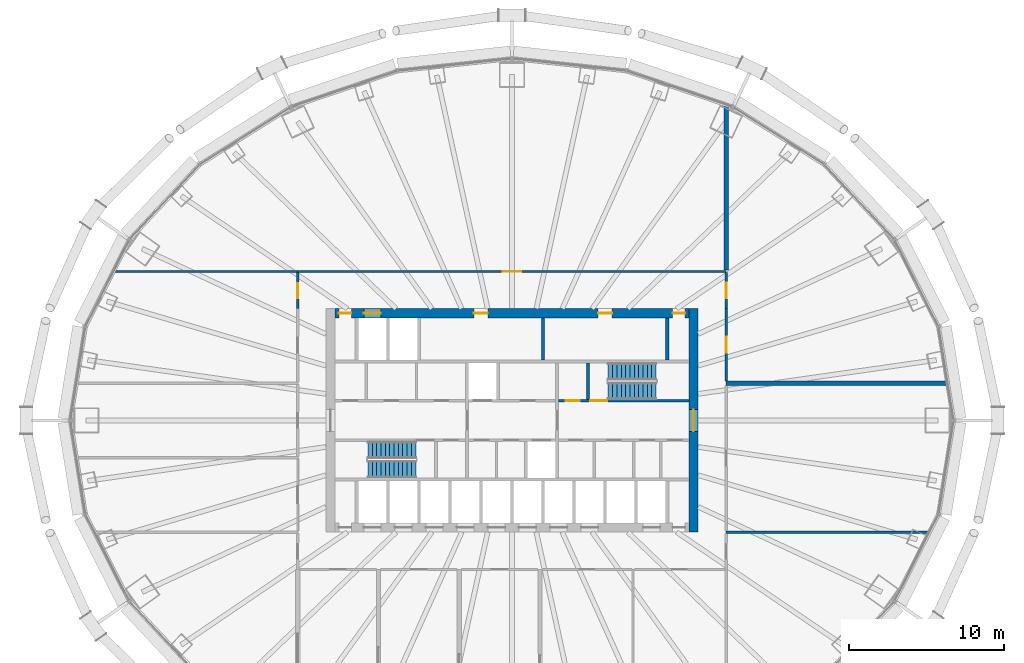
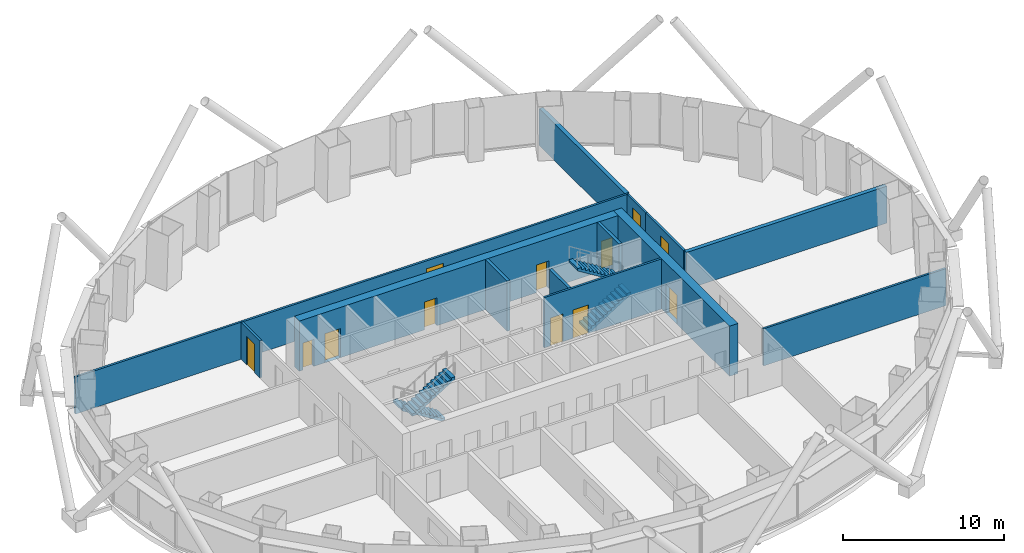
# One storey, part 9 of 16: 14 walls, 12 doors, 4 stair flights, 12 openings, 2 elements without a shape of their own.
"""IFC4 building model written with IfcOpenShell, lengths in metres."""

from ifc_helpers import new_model, si_unit, direction, frame, frame_2d, origin, place, context, subcontext, project, spatial, polyline, rectangle, outline, extrude, material, layer, layer_set, type_object, element, fill, aggregate, save


model = new_model("IFC4")

# Units and contexts
model_context = context("Model", 3, precision=1e-05, world=origin(), true_north=direction((0.0, 1.0)))
body_context = subcontext(model_context, "Body", "Model", "MODEL_VIEW")
ifc_project = project(units=[si_unit("LENGTHUNIT", "METRE"), si_unit("AREAUNIT", "SQUARE_METRE"), si_unit("VOLUMEUNIT", "CUBIC_METRE"), si_unit("PLANEANGLEUNIT", "RADIAN"), si_unit("MASSUNIT", "GRAM", prefix="KILO")], contexts=[model_context])

# Site, building, storey
site_placement = place(None, origin())
site = spatial("IfcSite", under=ifc_project, at=site_placement, CompositionType="ELEMENT")
building_placement = place(site_placement, origin())
building = spatial("IfcBuilding", under=site, at=building_placement, Name="Siaravel Broadcast Tower", CompositionType="ELEMENT")
storey_placement = place(building_placement, frame((0.0, 0.0, 28.699951171875)))
storey = spatial("IfcBuildingStorey", under=building, at=storey_placement, Name="L05", CompositionType="ELEMENT", Elevation=28.699951171875)

# Walls
ifc_material_1 = material(Name="Double-leaf acoustic partition", Category="gypsum")
ifc_layer_1 = layer(ifc_material_1, 0.280029296875)
ifc_layer_set_1 = layer_set([ifc_layer_1], Name="Double-leaf acoustic partition")
wall_type_1 = type_object("IfcWallType", Name="Acoustic double-leaf wall 280", PredefinedType="PARTITIONING", material=ifc_layer_set_1)
wall_1_placement = place(storey_placement, frame((28.1142578125, 2.39990234375, 0.0), z_axis=(0.0, 0.0, 1.0), x_axis=(-1.0, 0.0, 0.0)))
element("IfcWall", 1, at=wall_1_placement, inside=storey, type_object=wall_type_1, Name="L05 partition 3", PredefinedType="PARTITIONING", context=body_context, shape_type="SweptSolid", body=[
    extrude(rectangle(XDim=14.314208984375, YDim=0.280029296875, at=frame_2d((7.1572265625, 0.0))), origin(), (0.0, 0.0, 1.0), 2.800048828125),
])
wall_2_placement = place(storey_placement, frame((13.800048828125, 9.677001953125, 0.0), z_axis=(0.0, 0.0, 1.0), x_axis=(0.0, 1.0, 0.0)))
element("IfcWall", 2, at=wall_2_placement, inside=storey, type_object=wall_type_1, Name="L05 partition 12", PredefinedType="PARTITIONING", context=body_context, shape_type="SweptSolid", body=[
    extrude(rectangle(XDim=10.610595703125, YDim=0.280029296875, at=frame_2d((5.30517578125, 0.0))), origin(), (0.0, 0.0, 1.0), 2.800048828125),
])
ifc_material_2 = material(Name="Concrete blockwork", Category="masonry")
ifc_layer_2 = layer(ifc_material_2, 0.199951171875)
ifc_layer_set_2 = layer_set([ifc_layer_2], Name="Concrete blockwork")
wall_type_2 = type_object("IfcWallType", Name="Core partition 200", PredefinedType="PARTITIONING", material=ifc_layer_set_2)
wall_3_placement = place(storey_placement, frame((2.0, 3.89990234375, 0.0), z_axis=(0.0, 0.0, 1.0), x_axis=(0.0, 1.0, 0.0)))
element("IfcWall", 3, at=wall_3_placement, inside=storey, type_object=wall_type_2, Name="L05 core partition PFN2", PredefinedType="PARTITIONING", context=body_context, shape_type="SweptSolid", body=[
    extrude(rectangle(XDim=2.7001953125, YDim=0.199951171875, at=frame_2d((1.35009765625, 0.0))), origin(), (0.0, 0.0, 1.0), 3.800048828125),
])

# Wall, opening, door
ifc_material_3 = material(Name="Concrete C60/75", Category="concrete")
ifc_layer_3 = layer(ifc_material_3, 0.60009765625)
ifc_layer_set_3 = layer_set([ifc_layer_3], Name="Concrete C60/75")
wall_type_3 = type_object("IfcWallType", Name="Core wall 600", PredefinedType="SHEAR", material=ifc_layer_set_3)
wall_4_placement = place(storey_placement, frame((11.699951171875, -7.199951171875, 0.0), z_axis=(0.0, 0.0, 1.0), x_axis=(0.0, 1.0, 0.0)))
wall_4 = element("IfcWall", 4, at=wall_4_placement, inside=storey, type_object=wall_type_3, Name="L05 core wall OE", PredefinedType="SHEAR", context=body_context, shape_type="SweptSolid", body=[
    extrude(rectangle(XDim=14.39990234375, YDim=0.60009765625, at=frame_2d((7.199951171875, 0.0))), origin(), (0.0, 0.0, 1.0), 3.800048828125),
])
opening_1_placement = place(wall_4_placement, frame((6.5, 0.0, 0.0)))
opening_1 = element("IfcOpeningElement", 5, at=opening_1_placement, cuts=wall_4, Name="Opening L05-DX-E", PredefinedType="OPENING", context=body_context, shape_type="SweptSolid", body=[
    extrude(rectangle(XDim=1.39990234375, YDim=2.199951171875, at=frame_2d((0.699951171875, 1.10009765625))), frame((0.0, 0.31005859375, 0.0), z_axis=(0.0, -1.0, 0.0), x_axis=(1.0, 0.0, 0.0)), (0.0, 0.0, 1.0), 0.6201171875),
])
ifc_material_4 = material(Name="Steel", Category="steel")
door_type_1 = type_object("IfcDoorType", Name="Core exit door 1400", OperationType="DOUBLE_DOOR_SINGLE_SWING", PredefinedType="DOOR", material=ifc_material_4)
door_1_placement = place(opening_1_placement, origin())
door_1 = element("IfcDoor", 6, at=door_1_placement, inside=storey, type_object=door_type_1, Name="L05 door DX-E", OperationType="DOUBLE_DOOR_SINGLE_SWING", OverallHeight=2.199951171875, OverallWidth=1.39990234375, PredefinedType="DOOR", context=body_context, shape_type="SweptSolid", body=[
    extrude(rectangle(XDim=1.39990234375, YDim=2.199951171875, at=frame_2d((0.699951171875, 1.10009765625))), frame((0.0, 0.02490234375, 0.0), z_axis=(0.0, -1.0, 0.0), x_axis=(1.0, 0.0, 0.0)), (0.0, 0.0, 1.0), 0.050048828125),
])
fill(opening_1, door_1)

# Wall, openings, doors
wall_5_placement = place(storey_placement, frame((-11.39990234375, 6.89990234375, 0.0), z_axis=(0.0, 0.0, 1.0), x_axis=(1.0, 0.0, 0.0)))
wall_5 = element("IfcWall", 7, at=wall_5_placement, inside=storey, type_object=wall_type_3, Name="L05 core wall ON", PredefinedType="SHEAR", context=body_context, shape_type="SweptSolid", body=[
    extrude(rectangle(XDim=22.7998046875, YDim=0.60009765625, at=frame_2d((11.39990234375, 0.0))), origin(), (0.0, 0.0, 1.0), 3.800048828125),
])
opening_2_placement = place(wall_5_placement, frame((1.85009765625, 0.0, 0.0)))
opening_2 = element("IfcOpeningElement", 8, at=opening_2_placement, cuts=wall_5, Name="Opening LD-SV2-L05", PredefinedType="OPENING", context=body_context, shape_type="SweptSolid", body=[
    extrude(rectangle(XDim=1.10009765625, YDim=2.199951171875, at=frame_2d((0.550048828125, 1.10009765625))), frame((0.0, 0.31005859375, 0.0), z_axis=(0.0, -1.0, 0.0), x_axis=(1.0, 0.0, 0.0)), (0.0, 0.0, 1.0), 0.6201171875),
])
opening_3_placement = place(wall_5_placement, frame((8.949951171875, 0.0, 0.0)))
opening_3 = element("IfcOpeningElement", 9, at=opening_3_placement, cuts=wall_5, Name="Opening L05-DFN2", PredefinedType="OPENING", context=body_context, shape_type="SweptSolid", body=[
    extrude(rectangle(XDim=0.89990234375, YDim=2.10009765625, at=frame_2d((0.449951171875, 1.050048828125))), frame((0.0, 0.31005859375, 0.0), z_axis=(0.0, -1.0, 0.0), x_axis=(1.0, 0.0, 0.0)), (0.0, 0.0, 1.0), 0.6201171875),
])
opening_4_placement = place(wall_5_placement, frame((16.949951171875, 0.0, 0.0)))
opening_4 = element("IfcOpeningElement", 10, at=opening_4_placement, cuts=wall_5, Name="Opening L05-DFN6", PredefinedType="OPENING", context=body_context, shape_type="SweptSolid", body=[
    extrude(rectangle(XDim=0.89990234375, YDim=2.10009765625, at=frame_2d((0.449951171875, 1.050048828125))), frame((0.0, 0.31005859375, 0.0), z_axis=(0.0, -1.0, 0.0), x_axis=(1.0, 0.0, 0.0)), (0.0, 0.0, 1.0), 0.6201171875),
])
opening_5_placement = place(wall_5_placement, frame((0.25, 0.0, 0.0)))
opening_5 = element("IfcOpeningElement", 11, at=opening_5_placement, cuts=wall_5, Name="Opening L05-DRNW", PredefinedType="OPENING", context=body_context, shape_type="SweptSolid", body=[
    extrude(rectangle(XDim=0.800048828125, YDim=2.050048828125, at=frame_2d((0.39990234375, 1.02490234375))), frame((0.0, 0.31005859375, 0.0), z_axis=(0.0, -1.0, 0.0), x_axis=(1.0, 0.0, 0.0)), (0.0, 0.0, 1.0), 0.6201171875),
])
opening_6_placement = place(wall_5_placement, frame((21.75, 0.0, 0.0)))
opening_6 = element("IfcOpeningElement", 12, at=opening_6_placement, cuts=wall_5, Name="Opening L05-DRNE", PredefinedType="OPENING", context=body_context, shape_type="SweptSolid", body=[
    extrude(rectangle(XDim=0.800048828125, YDim=2.050048828125, at=frame_2d((0.39990234375, 1.02490234375))), frame((0.0, 0.31005859375, 0.0), z_axis=(0.0, -1.0, 0.0), x_axis=(1.0, 0.0, 0.0)), (0.0, 0.0, 1.0), 0.6201171875),
])
ifc_material_5 = material(Name="Timber veneer", Category="wood")
door_type_2 = type_object("IfcDoorType", Name="Core room door 900", OperationType="SINGLE_SWING_LEFT", PredefinedType="DOOR", material=ifc_material_5)
door_2_placement = place(opening_3_placement, origin())
door_2 = element("IfcDoor", 13, at=door_2_placement, inside=storey, type_object=door_type_2, Name="L05 door DFN2", OperationType="SINGLE_SWING_LEFT", OverallHeight=2.10009765625, OverallWidth=0.89990234375, PredefinedType="DOOR", context=body_context, shape_type="SweptSolid", body=[
    extrude(rectangle(XDim=0.89990234375, YDim=2.10009765625, at=frame_2d((0.449951171875, 1.050048828125))), frame((0.0, 0.02490234375, 0.0), z_axis=(0.0, -1.0, 0.0), x_axis=(1.0, 0.0, 0.0)), (0.0, 0.0, 1.0), 0.050048828125),
])
fill(opening_3, door_2)
door_3_placement = place(opening_4_placement, origin())
door_3 = element("IfcDoor", 14, at=door_3_placement, inside=storey, type_object=door_type_2, Name="L05 door DFN6", OperationType="SINGLE_SWING_LEFT", OverallHeight=2.10009765625, OverallWidth=0.89990234375, PredefinedType="DOOR", context=body_context, shape_type="SweptSolid", body=[
    extrude(rectangle(XDim=0.89990234375, YDim=2.10009765625, at=frame_2d((0.449951171875, 1.050048828125))), frame((0.0, 0.02490234375, 0.0), z_axis=(0.0, -1.0, 0.0), x_axis=(1.0, 0.0, 0.0)), (0.0, 0.0, 1.0), 0.050048828125),
])
fill(opening_4, door_3)
door_type_3 = type_object("IfcDoorType", Name="Riser door 800", OperationType="SINGLE_SWING_LEFT", PredefinedType="DOOR", material=ifc_material_4)
door_4_placement = place(opening_5_placement, origin())
door_4 = element("IfcDoor", 15, at=door_4_placement, inside=storey, type_object=door_type_3, Name="L05 door DRNW", OperationType="SINGLE_SWING_LEFT", OverallHeight=2.050048828125, OverallWidth=0.800048828125, PredefinedType="DOOR", context=body_context, shape_type="SweptSolid", body=[
    extrude(rectangle(XDim=0.800048828125, YDim=2.050048828125, at=frame_2d((0.39990234375, 1.02490234375))), frame((0.0, 0.02490234375, 0.0), z_axis=(0.0, -1.0, 0.0), x_axis=(1.0, 0.0, 0.0)), (0.0, 0.0, 1.0), 0.050048828125),
])
fill(opening_5, door_4)
door_5_placement = place(opening_6_placement, origin())
door_5 = element("IfcDoor", 16, at=door_5_placement, inside=storey, type_object=door_type_3, Name="L05 door DRNE", OperationType="SINGLE_SWING_LEFT", OverallHeight=2.050048828125, OverallWidth=0.800048828125, PredefinedType="DOOR", context=body_context, shape_type="SweptSolid", body=[
    extrude(rectangle(XDim=0.800048828125, YDim=2.050048828125, at=frame_2d((0.39990234375, 1.02490234375))), frame((0.0, 0.02490234375, 0.0), z_axis=(0.0, -1.0, 0.0), x_axis=(1.0, 0.0, 0.0)), (0.0, 0.0, 1.0), 0.050048828125),
])
fill(opening_6, door_5)
ifc_material_6 = material(Name="Stainless steel 316L", Category="steel")
door_type_4 = type_object("IfcDoorType", Name="Service lift landing door 1100", OperationType="DOUBLE_DOOR_SLIDING", PredefinedType="DOOR", material=ifc_material_6)
door_6_placement = place(opening_2_placement, origin())
door_6 = element("IfcDoor", 17, at=door_6_placement, inside=storey, type_object=door_type_4, Name="Landing door SV2 L05", OperationType="DOUBLE_DOOR_SLIDING", OverallHeight=2.199951171875, OverallWidth=1.10009765625, PredefinedType="DOOR", context=body_context, shape_type="SweptSolid", body=[
    extrude(rectangle(XDim=1.10009765625, YDim=2.199951171875, at=frame_2d((0.550048828125, 1.10009765625))), frame((0.0, 0.02490234375, 0.0), z_axis=(0.0, -1.0, 0.0), x_axis=(1.0, 0.0, 0.0)), (0.0, 0.0, 1.0), 0.050048828125),
])
fill(opening_2, door_6)

# Wall, opening, door
ifc_material_7 = material(Name="Gypsum board partition", Category="gypsum")
ifc_layer_4 = layer(ifc_material_7, 0.14990234375)
ifc_layer_set_4 = layer_set([ifc_layer_4], Name="Gypsum board partition")
wall_type_4 = type_object("IfcWallType", Name="Corridor wall 150", PredefinedType="PARTITIONING", material=ifc_layer_set_4)
wall_6_placement = place(storey_placement, frame((13.800048828125, 9.60009765625, 0.0), z_axis=(0.0, 0.0, 1.0), x_axis=(-1.0, 0.0, 0.0)))
wall_6 = element("IfcWall", 18, at=wall_6_placement, inside=storey, type_object=wall_type_4, Name="L05 partition 1", PredefinedType="PARTITIONING", context=body_context, shape_type="SweptSolid", body=[
    extrude(rectangle(XDim=27.612060546875, YDim=0.14990234375, at=frame_2d((13.80615234375, 0.0))), origin(), (0.0, 0.0, 1.0), 2.800048828125),
])
opening_7_placement = place(wall_6_placement, frame((13.2060546875, 0.0, 0.0)))
opening_7 = element("IfcOpeningElement", 19, at=opening_7_placement, cuts=wall_6, Name="Opening L05-001", PredefinedType="OPENING", context=body_context, shape_type="SweptSolid", body=[
    extrude(rectangle(XDim=1.199951171875, YDim=2.199951171875, at=frame_2d((0.60009765625, 1.10009765625))), frame((0.0, 0.0849609375, 0.0), z_axis=(0.0, -1.0, 0.0), x_axis=(1.0, 0.0, 0.0)), (0.0, 0.0, 1.0), 0.169921875),
])
door_type_5 = type_object("IfcDoorType", Name="Office double door 1200", OperationType="DOUBLE_DOOR_SINGLE_SWING", PredefinedType="DOOR", material=ifc_material_5)
door_7_placement = place(opening_7_placement, origin())
door_7 = element("IfcDoor", 20, at=door_7_placement, inside=storey, type_object=door_type_5, Name="L05 door to Open plan newsroom", OperationType="DOUBLE_DOOR_SINGLE_SWING", OverallHeight=2.199951171875, OverallWidth=1.199951171875, PredefinedType="DOOR", context=body_context, shape_type="SweptSolid", body=[
    extrude(rectangle(XDim=1.199951171875, YDim=2.199951171875, at=frame_2d((0.60009765625, 1.10009765625))), frame((0.0, 0.02490234375, 0.0), z_axis=(0.0, -1.0, 0.0), x_axis=(1.0, 0.0, 0.0)), (0.0, 0.0, 1.0), 0.050048828125),
])
fill(opening_7, door_7)

wall_7_placement = place(storey_placement, frame((13.800048828125, 2.5419921875, 0.0), z_axis=(0.0, 0.0, 1.0), x_axis=(0.0, 1.0, 0.0)))
wall_7 = element("IfcWall", 21, at=wall_7_placement, inside=storey, type_object=wall_type_4, Name="L05 partition 21", PredefinedType="PARTITIONING", context=body_context, shape_type="SweptSolid", body=[
    extrude(rectangle(XDim=4.669921875, YDim=0.14990234375, at=frame_2d((2.3349609375, 0.0))), origin(), (0.0, 0.0, 1.0), 2.800048828125),
])
opening_8_placement = place(wall_7_placement, frame((1.8349609375, 0.0, 0.0)))
opening_8 = element("IfcOpeningElement", 22, at=opening_8_placement, cuts=wall_7, Name="Opening L05-009", PredefinedType="OPENING", context=body_context, shape_type="SweptSolid", body=[
    extrude(rectangle(XDim=1.0, YDim=2.199951171875, at=frame_2d((0.5, 1.10009765625))), frame((0.0, 0.0849609375, 0.0), z_axis=(0.0, -1.0, 0.0), x_axis=(1.0, 0.0, 0.0)), (0.0, 0.0, 1.0), 0.169921875),
])
ifc_material_8 = material(Name="Acoustic timber and steel", Category="steel")
door_type_6 = type_object("IfcDoorType", Name="Acoustic door 1000", OperationType="SINGLE_SWING_LEFT", PredefinedType="DOOR", material=ifc_material_8)
door_8_placement = place(opening_8_placement, origin())
door_8 = element("IfcDoor", 23, at=door_8_placement, inside=storey, type_object=door_type_6, Name="L05 door to Edit suite", OperationType="SINGLE_SWING_LEFT", OverallHeight=2.199951171875, OverallWidth=1.0, PredefinedType="DOOR", context=body_context, shape_type="SweptSolid", body=[
    extrude(rectangle(XDim=1.0, YDim=2.199951171875, at=frame_2d((0.5, 1.10009765625))), frame((0.0, 0.02490234375, 0.0), z_axis=(0.0, -1.0, 0.0), x_axis=(1.0, 0.0, 0.0)), (0.0, 0.0, 1.0), 0.050048828125),
])
fill(opening_8, door_8)

wall_8_placement = place(storey_placement, frame((13.800048828125, 7.212890625, 0.0), z_axis=(0.0, 0.0, 1.0), x_axis=(0.0, 1.0, 0.0)))
wall_8 = element("IfcWall", 24, at=wall_8_placement, inside=storey, type_object=wall_type_4, Name="L05 partition 25", PredefinedType="PARTITIONING", context=body_context, shape_type="SweptSolid", body=[
    extrude(rectangle(XDim=2.31005859375, YDim=0.14990234375, at=frame_2d((1.155029296875, 0.0))), origin(), (0.0, 0.0, 1.0), 2.800048828125),
])
opening_9_placement = place(wall_8_placement, frame((0.655029296875, 0.0, 0.0)))
opening_9 = element("IfcOpeningElement", 25, at=opening_9_placement, cuts=wall_8, Name="Opening L05-010", PredefinedType="OPENING", context=body_context, shape_type="SweptSolid", body=[
    extrude(rectangle(XDim=1.0, YDim=2.199951171875, at=frame_2d((0.5, 1.10009765625))), frame((0.0, 0.0849609375, 0.0), z_axis=(0.0, -1.0, 0.0), x_axis=(1.0, 0.0, 0.0)), (0.0, 0.0, 1.0), 0.169921875),
])
door_9_placement = place(opening_9_placement, origin())
door_9 = element("IfcDoor", 26, at=door_9_placement, inside=storey, type_object=door_type_6, Name="L05 door to Edit suite", OperationType="SINGLE_SWING_RIGHT", OverallHeight=2.199951171875, OverallWidth=1.0, PredefinedType="DOOR", context=body_context, shape_type="SweptSolid", body=[
    extrude(rectangle(XDim=1.0, YDim=2.199951171875, at=frame_2d((0.5, 1.10009765625))), frame((0.0, 0.02490234375, 0.0), z_axis=(0.0, -1.0, 0.0), x_axis=(1.0, 0.0, 0.0)), (0.0, 0.0, 1.0), 0.050048828125),
])
fill(opening_9, door_9)

wall_9_placement = place(storey_placement, frame((-13.800048828125, 9.524169921875, 0.0), z_axis=(0.0, 0.0, 1.0), x_axis=(0.0, -1.0, 0.0)))
wall_9 = element("IfcWall", 27, at=wall_9_placement, inside=storey, type_object=wall_type_4, Name="L05 partition 28", PredefinedType="PARTITIONING", context=body_context, shape_type="SweptSolid", body=[
    extrude(rectangle(XDim=2.32421875, YDim=0.14990234375, at=frame_2d((1.162109375, 0.0))), origin(), (0.0, 0.0, 1.0), 2.800048828125),
])
opening_10_placement = place(wall_9_placement, frame((0.68701171875, 0.0, 0.0)))
opening_10 = element("IfcOpeningElement", 28, at=opening_10_placement, cuts=wall_9, Name="Opening L05-006", PredefinedType="OPENING", context=body_context, shape_type="SweptSolid", body=[
    extrude(rectangle(XDim=0.949951171875, YDim=2.14990234375, at=frame_2d((0.47509765625, 1.074951171875))), frame((0.0, 0.0849609375, 0.0), z_axis=(0.0, -1.0, 0.0), x_axis=(1.0, 0.0, 0.0)), (0.0, 0.0, 1.0), 0.169921875),
])
door_type_7 = type_object("IfcDoorType", Name="Office door 950", OperationType="SINGLE_SWING_LEFT", PredefinedType="DOOR", material=ifc_material_5)
door_10_placement = place(opening_10_placement, origin())
door_10 = element("IfcDoor", 29, at=door_10_placement, inside=storey, type_object=door_type_7, Name="L05 door to Production office", OperationType="SINGLE_SWING_RIGHT", OverallHeight=2.14990234375, OverallWidth=0.949951171875, PredefinedType="DOOR", context=body_context, shape_type="SweptSolid", body=[
    extrude(rectangle(XDim=0.949951171875, YDim=2.14990234375, at=frame_2d((0.47509765625, 1.074951171875))), frame((0.0, 0.02490234375, 0.0), z_axis=(0.0, -1.0, 0.0), x_axis=(1.0, 0.0, 0.0)), (0.0, 0.0, 1.0), 0.050048828125),
])
fill(opening_10, door_10)

# Walls
ifc_layer_5 = layer(ifc_material_7, 0.14990234375)
ifc_layer_set_5 = layer_set([ifc_layer_5], Name="Gypsum board partition")
wall_type_5 = type_object("IfcWallType", Name="Room partition 150", PredefinedType="PARTITIONING", material=ifc_layer_set_5)
wall_10_placement = place(storey_placement, frame((26.84521484375, -7.199951171875, 0.0), z_axis=(0.0, 0.0, 1.0), x_axis=(-1.0, 0.0, 0.0)))
element("IfcWall", 30, at=wall_10_placement, inside=storey, type_object=wall_type_5, Name="L05 partition 8", PredefinedType="PARTITIONING", context=body_context, shape_type="SweptSolid", body=[
    extrude(rectangle(XDim=13.045166015625, YDim=0.14990234375, at=frame_2d((6.5224609375, 0.0))), origin(), (0.0, 0.0, 1.0), 2.800048828125),
])
wall_11_placement = place(storey_placement, frame((-25.7255859375, 9.60009765625, 0.0), z_axis=(0.0, 0.0, 1.0), x_axis=(1.0, 0.0, 0.0)))
element("IfcWall", 31, at=wall_11_placement, inside=storey, type_object=wall_type_5, Name="L05 partition 11", PredefinedType="PARTITIONING", context=body_context, shape_type="SweptSolid", body=[
    extrude(rectangle(XDim=11.91259765625, YDim=0.14990234375, at=frame_2d((5.956298828125, 0.0))), origin(), (0.0, 0.0, 1.0), 2.800048828125),
])

# Wall, openings, doors
ifc_layer_6 = layer(ifc_material_3, 0.14990234375)
ifc_layer_set_6 = layer_set([ifc_layer_6], Name="Concrete C60/75")
wall_type_6 = type_object("IfcWallType", Name="Shaft wall 150", PredefinedType="SHEAR", material=ifc_layer_set_6)
wall_12_placement = place(storey_placement, frame((3.0, 1.27490234375, 0.0), z_axis=(0.0, 0.0, 1.0), x_axis=(1.0, 0.0, 0.0)))
wall_12 = element("IfcWall", 32, at=wall_12_placement, inside=storey, type_object=wall_type_6, Name="L05 core wall CNE", PredefinedType="SHEAR", context=body_context, shape_type="SweptSolid", body=[
    extrude(rectangle(XDim=8.39990234375, YDim=0.14990234375, at=frame_2d((4.199951171875, 0.0))), origin(), (0.0, 0.0, 1.0), 3.800048828125),
])
opening_11_placement = place(wall_12_placement, frame((2.050048828125, 0.0, 0.0)))
opening_11 = element("IfcOpeningElement", 33, at=opening_11_placement, cuts=wall_12, Name="Opening L05-DS-2", PredefinedType="OPENING", context=body_context, shape_type="SweptSolid", body=[
    extrude(rectangle(XDim=1.10009765625, YDim=2.14990234375, at=frame_2d((0.550048828125, 1.074951171875))), frame((0.0, 0.0849609375, 0.0), z_axis=(0.0, -1.0, 0.0), x_axis=(1.0, 0.0, 0.0)), (0.0, 0.0, 1.0), 0.169921875),
])
opening_12_placement = place(wall_12_placement, frame((0.449951171875, 0.0, 0.0)))
opening_12 = element("IfcOpeningElement", 34, at=opening_12_placement, cuts=wall_12, Name="Opening L05-DNE0", PredefinedType="OPENING", context=body_context, shape_type="SweptSolid", body=[
    extrude(rectangle(XDim=0.89990234375, YDim=2.10009765625, at=frame_2d((0.449951171875, 1.050048828125))), frame((0.0, 0.0849609375, 0.0), z_axis=(0.0, -1.0, 0.0), x_axis=(1.0, 0.0, 0.0)), (0.0, 0.0, 1.0), 0.169921875),
])
door_11_placement = place(opening_12_placement, origin())
door_11 = element("IfcDoor", 35, at=door_11_placement, inside=storey, type_object=door_type_2, Name="L05 door DNE0", OperationType="SINGLE_SWING_LEFT", OverallHeight=2.10009765625, OverallWidth=0.89990234375, PredefinedType="DOOR", context=body_context, shape_type="SweptSolid", body=[
    extrude(rectangle(XDim=0.89990234375, YDim=2.10009765625, at=frame_2d((0.449951171875, 1.050048828125))), frame((0.0, 0.02490234375, 0.0), z_axis=(0.0, -1.0, 0.0), x_axis=(1.0, 0.0, 0.0)), (0.0, 0.0, 1.0), 0.050048828125),
])
fill(opening_12, door_11)
door_type_8 = type_object("IfcDoorType", Name="Stair door 1100", OperationType="SINGLE_SWING_LEFT", PredefinedType="DOOR", material=ifc_material_4)
door_12_placement = place(opening_11_placement, origin())
door_12 = element("IfcDoor", 36, at=door_12_placement, inside=storey, type_object=door_type_8, Name="L05 door DS-2", OperationType="SINGLE_SWING_LEFT", OverallHeight=2.14990234375, OverallWidth=1.10009765625, PredefinedType="DOOR", context=body_context, shape_type="SweptSolid", body=[
    extrude(rectangle(XDim=1.10009765625, YDim=2.14990234375, at=frame_2d((0.550048828125, 1.074951171875))), frame((0.0, 0.02490234375, 0.0), z_axis=(0.0, -1.0, 0.0), x_axis=(1.0, 0.0, 0.0)), (0.0, 0.0, 1.0), 0.050048828125),
])
fill(opening_11, door_12)

# Walls
ifc_layer_7 = layer(ifc_material_3, 0.199951171875)
ifc_layer_set_7 = layer_set([ifc_layer_7], Name="Concrete C60/75")
wall_type_7 = type_object("IfcWallType", Name="Shaft wall 200", PredefinedType="SHEAR", material=ifc_layer_set_7)
wall_13_placement = place(storey_placement, frame((10.0, 3.89990234375, 0.0), z_axis=(0.0, 0.0, 1.0), x_axis=(0.0, 1.0, 0.0)))
element("IfcWall", 37, at=wall_13_placement, inside=storey, type_object=wall_type_7, Name="L05 core wall SWN10", PredefinedType="SHEAR", context=body_context, shape_type="SweptSolid", body=[
    extrude(rectangle(XDim=2.7001953125, YDim=0.199951171875, at=frame_2d((1.35009765625, 0.0))), origin(), (0.0, 0.0, 1.0), 3.800048828125),
])
wall_14_placement = place(storey_placement, frame((4.89990234375, 1.35009765625, 0.0), z_axis=(0.0, 0.0, 1.0), x_axis=(0.0, 1.0, 0.0)))
element("IfcWall", 38, at=wall_14_placement, inside=storey, type_object=wall_type_7, Name="L05 core wall ST2W", PredefinedType="SHEAR", context=body_context, shape_type="SweptSolid", body=[
    extrude(rectangle(XDim=2.349853515625, YDim=0.199951171875, at=frame_2d((1.1748046875, 0.0))), origin(), (0.0, 0.0, 1.0), 3.800048828125),
])

# Stair, stair flights
ifc_material_9 = material(Name="Concrete C40/50", Category="concrete")
stair_type = type_object("IfcStairType", Name="Core exit stair", PredefinedType="HALF_TURN_STAIR", material=ifc_material_9)
stair_1_placement = place(storey_placement, origin())
stair_1 = element("IfcStair", 39, at=stair_1_placement, inside=storey, type_object=stair_type, Name="L05 Exit stair ST-1", PredefinedType="HALF_TURN_STAIR")
stair_flight_type = type_object("IfcStairFlightType", Name="Stair flight 1100", PredefinedType="STRAIGHT", material=ifc_material_9)
stair_flight_1_placement = place(storey_placement, frame((-6.199951171875, -1.89990234375, 0.0), z_axis=(0.0, 0.0, 1.0), x_axis=(-1.0, 0.0, 0.0)))
stair_flight_1 = element("IfcStairFlight", 40, at=stair_flight_1_placement, type_object=stair_flight_type, Name="ST-1 flight 1", NumberOfRisers=12, NumberOfTreads=11, PredefinedType="STRAIGHT", RiserHeight=0.175, TreadLength=0.28, context=body_context, shape_type="SweptSolid", body=[
    extrude(outline(polyline([(0.0, 0.0), (0.0, 0.175048828125), (0.280029296875, 0.175048828125), (0.280029296875, 0.35009765625), (0.56005859375, 0.35009765625), (0.56005859375, 0.52490234375), (0.840087890625, 0.52490234375), (0.840087890625, 0.699951171875), (1.1201171875, 0.699951171875), (1.1201171875, 0.875), (1.39990234375, 0.875), (1.39990234375, 1.050048828125), (1.679931640625, 1.050048828125), (1.679931640625, 1.22509765625), (1.9599609375, 1.22509765625), (1.9599609375, 1.39990234375), (2.239990234375, 1.39990234375), (2.239990234375, 1.574951171875), (2.52001953125, 1.574951171875), (2.52001953125, 1.75), (2.800048828125, 1.75), (2.800048828125, 1.925048828125), (3.080078125, 1.925048828125), (3.080078125, 2.10009765625), (3.080078125, 1.748291015625), (0.28271484375, 0.0), (0.0, 0.0)])), frame((0.0, 0.550048828125, 0.0), z_axis=(0.0, -1.0, 0.0), x_axis=(1.0, 0.0, 0.0)), (0.0, 0.0, 1.0), 1.10009765625),
])
stair_flight_2_placement = place(storey_placement, frame((-9.280029296875, -3.14990234375, 2.10009765625), z_axis=(0.0, 0.0, 1.0), x_axis=(1.0, 0.0, 0.0)))
stair_flight_2 = element("IfcStairFlight", 41, at=stair_flight_2_placement, type_object=stair_flight_type, Name="ST-1 flight 2", NumberOfRisers=12, NumberOfTreads=11, PredefinedType="STRAIGHT", RiserHeight=0.175, TreadLength=0.28, context=body_context, shape_type="SweptSolid", body=[
    extrude(outline(polyline([(0.0, 0.0), (0.0, 0.175048828125), (0.280029296875, 0.175048828125), (0.280029296875, 0.35009765625), (0.56005859375, 0.35009765625), (0.56005859375, 0.52490234375), (0.840087890625, 0.52490234375), (0.840087890625, 0.699951171875), (1.1201171875, 0.699951171875), (1.1201171875, 0.875), (1.39990234375, 0.875), (1.39990234375, 1.050048828125), (1.679931640625, 1.050048828125), (1.679931640625, 1.22509765625), (1.9599609375, 1.22509765625), (1.9599609375, 1.39990234375), (2.239990234375, 1.39990234375), (2.239990234375, 1.574951171875), (2.52001953125, 1.574951171875), (2.52001953125, 1.75), (2.800048828125, 1.75), (2.800048828125, 1.925048828125), (3.080078125, 1.925048828125), (3.080078125, 2.10009765625), (3.080078125, 1.748291015625), (0.28271484375, 0.0), (0.0, 0.0)])), frame((0.0, 0.550048828125, 0.0), z_axis=(0.0, -1.0, 0.0), x_axis=(1.0, 0.0, 0.0)), (0.0, 0.0, 1.0), 1.10009765625),
])
aggregate(stair_1, [stair_flight_1, stair_flight_2])

stair_2_placement = place(storey_placement, origin())
stair_2 = element("IfcStair", 42, at=stair_2_placement, inside=storey, type_object=stair_type, Name="L05 Exit stair ST-2", PredefinedType="HALF_TURN_STAIR")
stair_flight_3_placement = place(storey_placement, frame((6.199951171875, 1.89990234375, 0.0), z_axis=(0.0, 0.0, 1.0), x_axis=(1.0, 0.0, 0.0)))
stair_flight_3 = element("IfcStairFlight", 43, at=stair_flight_3_placement, type_object=stair_flight_type, Name="ST-2 flight 1", NumberOfRisers=12, NumberOfTreads=11, PredefinedType="STRAIGHT", RiserHeight=0.175, TreadLength=0.28, context=body_context, shape_type="SweptSolid", body=[
    extrude(outline(polyline([(0.0, 0.0), (0.0, 0.175048828125), (0.280029296875, 0.175048828125), (0.280029296875, 0.35009765625), (0.56005859375, 0.35009765625), (0.56005859375, 0.52490234375), (0.840087890625, 0.52490234375), (0.840087890625, 0.699951171875), (1.1201171875, 0.699951171875), (1.1201171875, 0.875), (1.39990234375, 0.875), (1.39990234375, 1.050048828125), (1.679931640625, 1.050048828125), (1.679931640625, 1.22509765625), (1.9599609375, 1.22509765625), (1.9599609375, 1.39990234375), (2.239990234375, 1.39990234375), (2.239990234375, 1.574951171875), (2.52001953125, 1.574951171875), (2.52001953125, 1.75), (2.800048828125, 1.75), (2.800048828125, 1.925048828125), (3.080078125, 1.925048828125), (3.080078125, 2.10009765625), (3.080078125, 1.748291015625), (0.28271484375, 0.0), (0.0, 0.0)])), frame((0.0, 0.550048828125, 0.0), z_axis=(0.0, -1.0, 0.0), x_axis=(1.0, 0.0, 0.0)), (0.0, 0.0, 1.0), 1.10009765625),
])
stair_flight_4_placement = place(storey_placement, frame((9.280029296875, 3.14990234375, 2.10009765625), z_axis=(0.0, 0.0, 1.0), x_axis=(-1.0, 0.0, 0.0)))
stair_flight_4 = element("IfcStairFlight", 44, at=stair_flight_4_placement, type_object=stair_flight_type, Name="ST-2 flight 2", NumberOfRisers=12, NumberOfTreads=11, PredefinedType="STRAIGHT", RiserHeight=0.175, TreadLength=0.28, context=body_context, shape_type="SweptSolid", body=[
    extrude(outline(polyline([(0.0, 0.0), (0.0, 0.175048828125), (0.280029296875, 0.175048828125), (0.280029296875, 0.35009765625), (0.56005859375, 0.35009765625), (0.56005859375, 0.52490234375), (0.840087890625, 0.52490234375), (0.840087890625, 0.699951171875), (1.1201171875, 0.699951171875), (1.1201171875, 0.875), (1.39990234375, 0.875), (1.39990234375, 1.050048828125), (1.679931640625, 1.050048828125), (1.679931640625, 1.22509765625), (1.9599609375, 1.22509765625), (1.9599609375, 1.39990234375), (2.239990234375, 1.39990234375), (2.239990234375, 1.574951171875), (2.52001953125, 1.574951171875), (2.52001953125, 1.75), (2.800048828125, 1.75), (2.800048828125, 1.925048828125), (3.080078125, 1.925048828125), (3.080078125, 2.10009765625), (3.080078125, 1.748291015625), (0.28271484375, 0.0), (0.0, 0.0)])), frame((0.0, 0.550048828125, 0.0), z_axis=(0.0, -1.0, 0.0), x_axis=(1.0, 0.0, 0.0)), (0.0, 0.0, 1.0), 1.10009765625),
])
aggregate(stair_2, [stair_flight_3, stair_flight_4])

save(model, "model.ifc")
